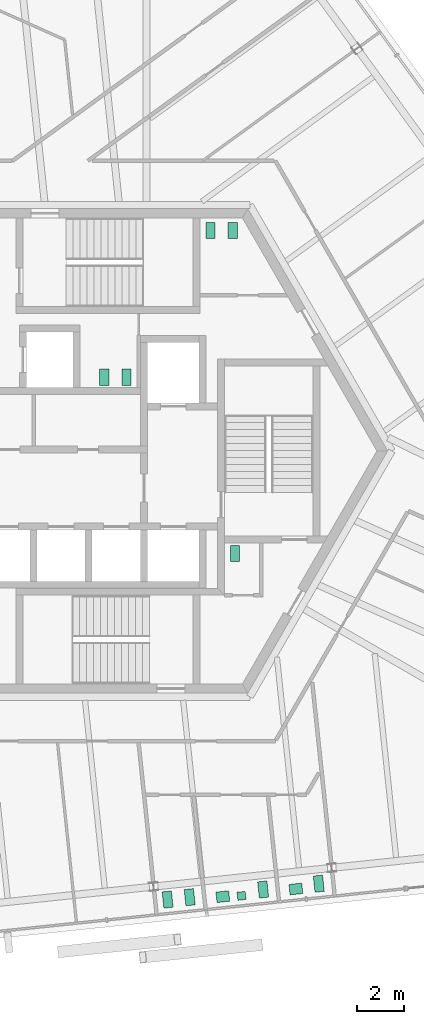
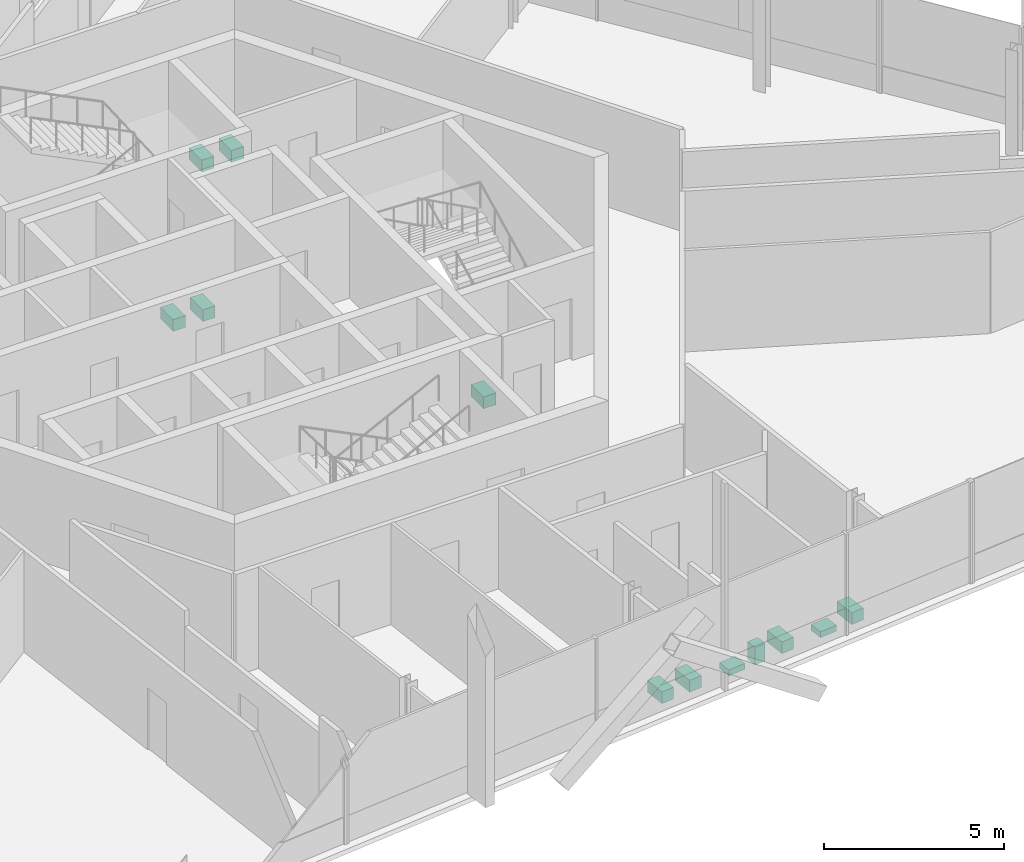
# One storey, part 18 of 20: 12 sanitary terminals.
"""IFC4 building model written with IfcOpenShell, lengths in metres."""

from ifc_helpers import new_model, si_unit, direction, frame, origin, origin_2d, place, context, subcontext, project, spatial, rectangle, extrude, source, transform, mapped, material, element, save


model = new_model("IFC4")

# Units and contexts
model_context = context("Model", 3, precision=1e-05, world=origin(), true_north=direction((0.0, 1.0)))
body_context = subcontext(model_context, "Body", "Model", "MODEL_VIEW")
ifc_project = project(units=[si_unit("LENGTHUNIT", "METRE"), si_unit("AREAUNIT", "SQUARE_METRE"), si_unit("VOLUMEUNIT", "CUBIC_METRE"), si_unit("PLANEANGLEUNIT", "RADIAN"), si_unit("MASSUNIT", "GRAM", prefix="KILO")], contexts=[model_context])

# Site, building, storey
site_placement = place(None, origin())
site = spatial("IfcSite", under=ifc_project, at=site_placement, CompositionType="ELEMENT")
building_placement = place(site_placement, origin())
building = spatial("IfcBuilding", under=site, at=building_placement, Name="Triune Harvest Tower", CompositionType="ELEMENT")
storey_placement = place(building_placement, frame((0.0, 0.0, 234.10009765625)))
storey = spatial("IfcBuildingStorey", under=building, at=storey_placement, Name="L61", CompositionType="ELEMENT", Elevation=234.10009765625)

# Sanitary terminals
ifc_material = material(Name="Vitreous china")
shared_shape_1 = source(origin(), body_context, "Body", "SweptSolid", [
    extrude(rectangle(XDim=0.39990234375, YDim=0.699951171875, at=origin_2d()), origin(), (0.0, 0.0, 1.0), 0.39990234375),
])
for number, where, z_axis, x_axis, name in (
    (1, (4.39990234375, 9.449951171875, 0.0), (0.0, 0.0, 1.0), (1.0, 0.0, 0.0), "Toilet pan L61.c01"),
    (2, (5.35009765625, 9.449951171875, 0.0), (0.0, 0.0, 1.0), (1.0, 0.0, 0.0), "Toilet pan L61.c02"),
    (3, (0.800048828125, 3.159912109375, 0.0), (0.0, 0.0, 1.0), (-1.0, 0.0, 0.0), "Toilet pan L61.c03"),
    (4, (-0.14990234375, 3.159912109375, 0.0), (0.0, 0.0, 1.0), (-1.0, 0.0, 0.0), "Toilet pan L61.c04"),
    (5, (5.449951171875, -4.39990234375, 0.0), (0.0, 0.0, 1.0), (1.0, 0.0, 0.0), "Toilet pan L61.c05"),
    (6, (3.507080078125, -19.1416015625, 0.0), (0.0, 0.0, 1.0), (-0.994520070851, -0.104545820933, 0.0), "Toilet pan 01"),
    (7, (2.562255859375, -19.240966796875, 0.0), (0.0, 0.0, 1.0), (-0.994520070851, -0.104545820933, 0.0), "Toilet pan 02"),
    (8, (6.657470703125, -18.810546875, 0.0), (0.0, 0.0, 1.0), (-0.994520070851, -0.104545820933, 0.0), "Toilet pan 03"),
    (9, (9.044189453125, -18.559814453125, 0.0), (0.0, 0.0, 1.0), (-0.994521895368, -0.104528463268, 0.0), "Toilet pan 06"),
):
    element("IfcSanitaryTerminal", number, at=place(storey_placement, frame(where, z_axis=z_axis, x_axis=x_axis)), inside=storey, material=ifc_material, Name=name, PredefinedType="TOILETPAN", context=body_context, shape_type="MappedRepresentation", body=[
        mapped(shared_shape_1, transform((0.0, 0.0, 0.0), scale=1.0)),
    ])
shared_shape_2 = source(origin(), body_context, "Body", "SweptSolid", [
    extrude(rectangle(XDim=0.35009765625, YDim=0.35009765625, at=origin_2d()), origin(), (0.0, 0.0, 1.0), 0.60009765625),
])
sanitary_terminal_placement = place(storey_placement, frame((5.73095703125, -19.083984375, -0.000244140625), z_axis=(0.0, 0.0, 1.0), x_axis=(-0.994520070851, -0.104545820933, 0.0)))
element("IfcSanitaryTerminal", 10, at=sanitary_terminal_placement, inside=storey, material=ifc_material, Name="Urinal 04", PredefinedType="URINAL", context=body_context, shape_type="MappedRepresentation", body=[
    mapped(shared_shape_2, transform((0.0, 0.0, 0.0), scale=1.0)),
])
shared_shape_3 = source(origin(), body_context, "Body", "SweptSolid", [
    extrude(rectangle(XDim=0.550048828125, YDim=0.449951171875, at=origin_2d()), origin(), (0.0, 0.0, 1.0), 0.199951171875),
])
for number, where, z_axis, x_axis, name in (
    (11, (4.929931640625, -19.117919921875, 0.0), (0.0, 0.0, 1.0), (-0.994520070851, -0.104545820933, 0.0), "Wash basin 05"),
    (12, (8.062744140625, -18.78857421875, 0.0), (0.0, 0.0, 1.0), (-0.994521895368, -0.104528463268, 0.0), "Wash basin 07"),
):
    element("IfcSanitaryTerminal", number, at=place(storey_placement, frame(where, z_axis=z_axis, x_axis=x_axis)), inside=storey, material=ifc_material, Name=name, PredefinedType="WASHHANDBASIN", context=body_context, shape_type="MappedRepresentation", body=[
        mapped(shared_shape_3, transform((0.0, 0.0, 0.0), scale=1.0)),
    ])

save(model, "model.ifc")
